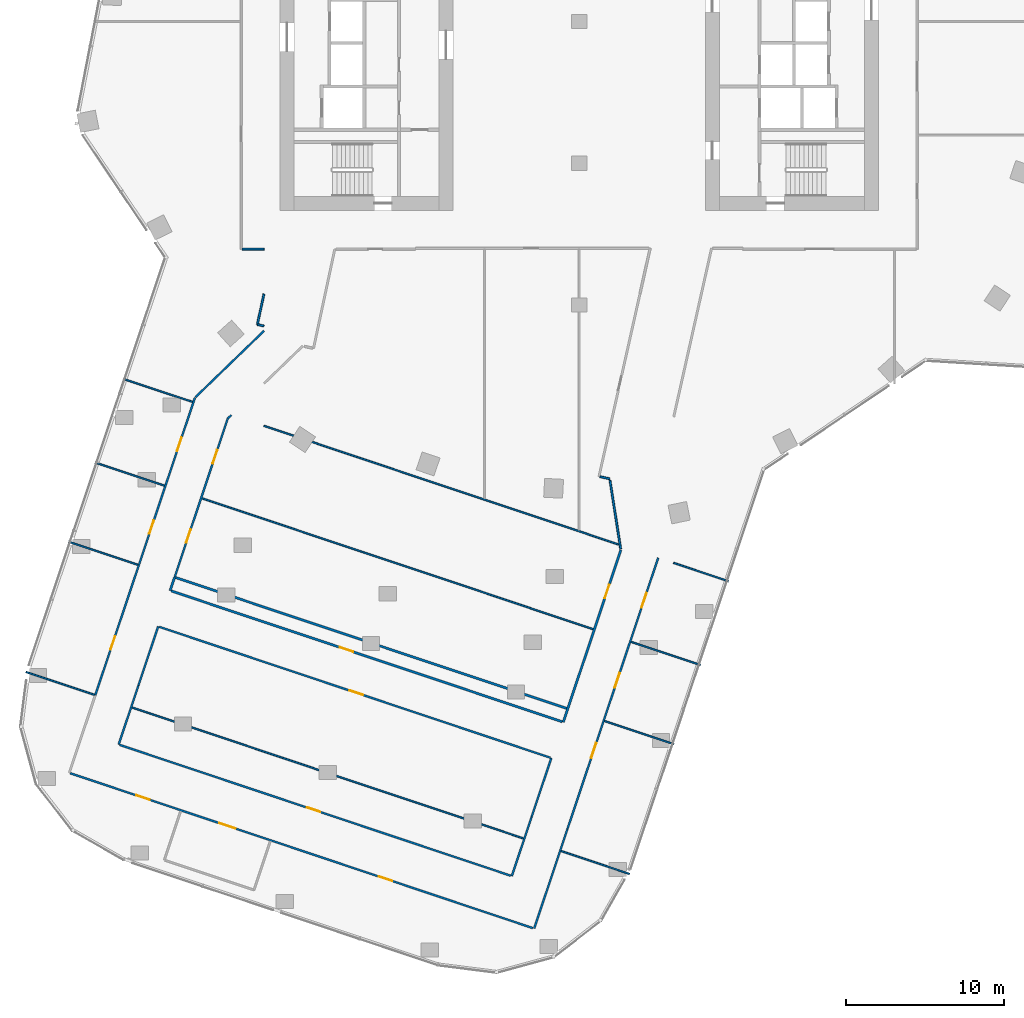
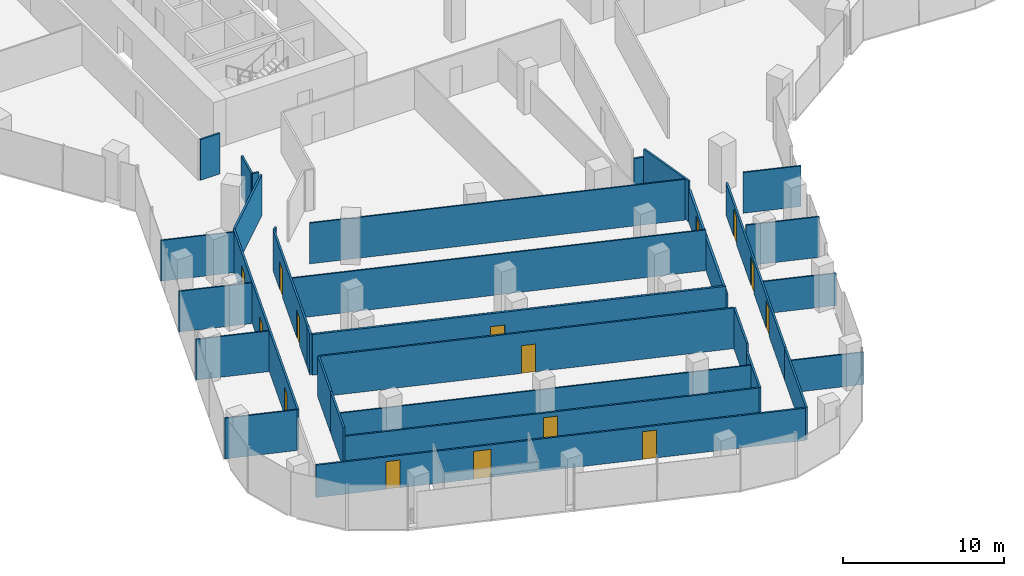
# One storey, part 19 of 25: 33 walls, 15 doors, 15 openings.
"""IFC4 building model written with IfcOpenShell, lengths in metres."""

import ifcopenshell
import ifcopenshell.guid

model = None  # the IFC model being written
_history = None  # IfcOwnerHistory: only IFC2X3 demands one
_inside = {}  # id of a spatial element -> (the spatial element, [elements in it])
_under = {}  # id of a project, library or spatial element -> (it, [spatial elements below it])
_declared = {}  # id of a project -> (the project, [libraries it declares])
_typed = {}  # id of a type object -> (the type object, [elements of that type])
_made_of = {}  # id of a material, layer set ... -> (it, [elements and type objects made of it])


def new_model(schema):
    """Start an empty IFC model of exactly this schema.

    Asked for "IFC4X3", IfcOpenShell would pick the latest addendum, in which some entities
    have other attributes; the version numbers below select the first issue.
    IFC2X3 requires an IfcOwnerHistory on every rooted entity: one is made here for all.
    """
    global model, _history
    if schema == "IFC4X3":
        model = ifcopenshell.file(schema_version=(4, 3, 0, 0))
    else:
        model = ifcopenshell.file(schema=schema)
    _inside.clear()
    _under.clear()
    _declared.clear()
    _typed.clear()
    _made_of.clear()
    _history = None
    if model.schema == "IFC2X3":
        org = make("IfcOrganization", Name="unknown")
        user = make(
            "IfcPersonAndOrganization",
            ThePerson=make("IfcPerson", FamilyName="unknown"),
            TheOrganization=org,
        )
        app = make(
            "IfcApplication",
            ApplicationDeveloper=org,
            Version="unknown",
            ApplicationFullName="unknown",
            ApplicationIdentifier="unknown",
        )
        _history = make(
            "IfcOwnerHistory",
            OwningUser=user,
            OwningApplication=app,
            ChangeAction="ADDED",
            CreationDate=0,
        )
    return model


def make(cls, **values):
    """One entity of the class cls with the attributes given. An attribute that is None is left unset."""
    return model.create_entity(
        cls, **{name: value for name, value in values.items() if value is not None}
    )


def rooted(cls, **values):
    """An entity with a GlobalId (a new one), such as an element, a storey or a relation."""
    return make(cls, GlobalId=ifcopenshell.guid.new(), OwnerHistory=_history, **values)


def si_unit(unit_type, name, prefix=None):
    """IfcSIUnit, for example si_unit("LENGTHUNIT", "METRE", prefix="MILLI")."""
    return make("IfcSIUnit", UnitType=unit_type, Prefix=prefix, Name=name)


def assignment(units):
    """IfcUnitAssignment: the units of a project."""
    return None if units is None else make("IfcUnitAssignment", Units=units)


def point(xyz):
    """IfcCartesianPoint."""
    return None if xyz is None else make("IfcCartesianPoint", Coordinates=xyz)


def direction(xyz):
    """IfcDirection."""
    return None if xyz is None else make("IfcDirection", DirectionRatios=xyz)


def frame(location, z_axis=None, x_axis=None):
    """IfcAxis2Placement3D, a coordinate frame: its origin and axes. An axis left out is left unset."""
    return make(
        "IfcAxis2Placement3D",
        Location=point(location),
        Axis=direction(z_axis),
        RefDirection=direction(x_axis),
    )


def frame_2d(location, x_axis=None):
    """IfcAxis2Placement2D, a coordinate frame in the plane: its origin and x axis."""
    return make(
        "IfcAxis2Placement2D", Location=point(location), RefDirection=direction(x_axis)
    )


def origin():
    """The frame at (0, 0, 0) with its axes left unset."""
    return frame((0.0, 0.0, 0.0))


def place(relative_to, where):
    """IfcLocalPlacement: puts the frame where relative to a parent placement (None: the world)."""
    return make(
        "IfcLocalPlacement", PlacementRelTo=relative_to, RelativePlacement=where
    )


def context(
    kind, dimensions, precision=None, world=None, true_north=None, identifier=None
):
    """IfcGeometricRepresentationContext, for example the 3D "Model" context."""
    return make(
        "IfcGeometricRepresentationContext",
        ContextIdentifier=identifier,
        ContextType=kind,
        CoordinateSpaceDimension=dimensions,
        Precision=precision,
        WorldCoordinateSystem=world,
        TrueNorth=true_north,
    )


def subcontext(parent, identifier, kind, view, scale=None):
    """IfcGeometricRepresentationSubContext, for example "Body" below "Model"."""
    return make(
        "IfcGeometricRepresentationSubContext",
        ContextIdentifier=identifier,
        ContextType=kind,
        ParentContext=parent,
        TargetScale=scale,
        TargetView=view,
    )


def project(units=None, contexts=None):
    """IfcProject with its units and contexts."""
    return rooted(
        "IfcProject",
        Name="project",
        RepresentationContexts=contexts,
        UnitsInContext=assignment(units),
    )


def spatial(cls, under=None, at=None, **own):
    """A site, building, storey or space (cls), placed at a placement, below another one or the project."""
    s = rooted(cls, ObjectPlacement=at, **own)
    if under is not None:
        _under.setdefault(under.id(), (under, []))[1].append(s)
    return s


def profile(cls, at=None, kind="AREA", **sizes):
    """A parametric profile (cls). Its sizes go by their IFC names, for example OverallWidth=200.0."""
    return make(cls, ProfileType=kind, Position=at, **sizes)


def rectangle(**sizes):
    """IfcRectangleProfileDef."""
    return profile("IfcRectangleProfileDef", **sizes)


def extrude(swept, where, along, depth):
    """IfcExtrudedAreaSolid: the profile swept, set in the frame where, extruded along a direction by depth."""
    return make(
        "IfcExtrudedAreaSolid",
        SweptArea=swept,
        Position=where,
        ExtrudedDirection=direction(along),
        Depth=depth,
    )


def shape(context_of_items, identifier, shape_type, items):
    """IfcShapeRepresentation: the items that make up one representation, for example the "Body"."""
    return make(
        "IfcShapeRepresentation",
        ContextOfItems=context_of_items,
        RepresentationIdentifier=identifier,
        RepresentationType=shape_type,
        Items=items,
    )


def material(Name=None, Category=None):
    """IfcMaterial."""
    return make("IfcMaterial", Name=Name, Category=Category)


def layer(
    of_material, thickness, ventilated=None, Name=None, Category=None, Priority=None
):
    """IfcMaterialLayer: one layer of a wall or slab, of a material (None: an air gap)."""
    return make(
        "IfcMaterialLayer",
        Material=of_material,
        LayerThickness=thickness,
        IsVentilated=ventilated,
        Name=Name,
        Category=Category,
        Priority=Priority,
    )


def layer_set(layers, Name=None):
    """IfcMaterialLayerSet."""
    return make("IfcMaterialLayerSet", MaterialLayers=layers, LayerSetName=Name)


def made_of(thing, what):
    """Note that an element or type object is made of a material, layer set ...; save() writes the relation."""
    if what is not None:
        _made_of.setdefault(what.id(), (what, []))[1].append(thing)
    return thing


def type_object(cls, material=None, **own):
    """A type object (cls), such as IfcWallType, which elements share."""
    return made_of(rooted(cls, **own), material)


def element(
    cls,
    number,
    at=None,
    inside=None,
    cuts=None,
    type_object=None,
    material=None,
    context=None,
    identifier="Body",
    shape_type=None,
    held_by="IfcProductDefinitionShape",
    body=None,
    shapes=None,
    **own,
):
    """One element of the class cls, such as IfcWall. Its Tag is "e" and its number.

    at: its placement. inside: the storey or other place that contains it. cuts: it is an
    opening in that element (IfcRelVoidsElement). A single representation is given by context,
    identifier, shape_type and body (its items); several are given by shapes. held_by: the class
    of the entity that holds the representations. save() writes the other relations.
    """
    e = rooted(cls, Tag="e%d" % number, ObjectPlacement=at, **own)
    if body is not None:
        shapes = [shape(context, identifier, shape_type, body)]
    if shapes is not None:
        e.Representation = make(held_by, Representations=shapes)
    if inside is not None:
        _inside.setdefault(inside.id(), (inside, []))[1].append(e)
    if cuts is not None:
        rooted(
            "IfcRelVoidsElement", RelatingBuildingElement=cuts, RelatedOpeningElement=e
        )
    if type_object is not None:
        _typed.setdefault(type_object.id(), (type_object, []))[1].append(e)
    return made_of(e, material)


def fill(opening, filler):
    """IfcRelFillsElement: the door or window that sits in an opening."""
    return rooted(
        "IfcRelFillsElement",
        RelatingOpeningElement=opening,
        RelatedBuildingElement=filler,
    )


def aggregate(whole, parts):
    """IfcRelAggregates: a whole, such as a stair, and the parts it consists of."""
    return rooted("IfcRelAggregates", RelatingObject=whole, RelatedObjects=parts)


def save(model, path):
    """Write the relations noted so far, then the file.

    IfcRelAggregates (storeys below a building ...), IfcRelContainedInSpatialStructure (elements
    in a storey), IfcRelDefinesByType, IfcRelAssociatesMaterial and IfcRelDeclares: one each for
    every whole, place, type object, material and project.
    """
    for whole, parts in _under.values():
        aggregate(whole, parts)
    for where, things in _inside.values():
        rooted(
            "IfcRelContainedInSpatialStructure",
            RelatedElements=things,
            RelatingStructure=where,
        )
    for kind, things in _typed.values():
        rooted("IfcRelDefinesByType", RelatedObjects=things, RelatingType=kind)
    for what, things in _made_of.values():
        rooted("IfcRelAssociatesMaterial", RelatedObjects=things, RelatingMaterial=what)
    for by, libraries in _declared.values():
        rooted("IfcRelDeclares", RelatingContext=by, RelatedDefinitions=libraries)
    model.write(path)


model = new_model("IFC4")

# Units and contexts
model_context = context("Model", 3, precision=1e-05, world=origin(), true_north=direction((0.0, 1.0)))
body_context = subcontext(model_context, "Body", "Model", "MODEL_VIEW")
ifc_project = project(units=[si_unit("LENGTHUNIT", "METRE"), si_unit("AREAUNIT", "SQUARE_METRE"), si_unit("VOLUMEUNIT", "CUBIC_METRE"), si_unit("PLANEANGLEUNIT", "RADIAN"), si_unit("MASSUNIT", "GRAM", prefix="KILO")], contexts=[model_context])

# Site, building, storey
site_placement = place(None, origin())
site = spatial("IfcSite", under=ifc_project, at=site_placement, CompositionType="ELEMENT")
building_placement = place(site_placement, origin())
building = spatial("IfcBuilding", under=site, at=building_placement, Name="Orlundy Tower", CompositionType="ELEMENT")
storey_placement = place(building_placement, frame((0.0, 0.0, 159.60009765625)))
storey = spatial("IfcBuildingStorey", under=building, at=storey_placement, Name="L41", CompositionType="ELEMENT", Elevation=159.60009765625)

# Walls
ifc_material_1 = material(Name="Gypsum board partition")
ifc_layer_1 = layer(ifc_material_1, 0.10009765625)
ifc_layer_set_1 = layer_set([ifc_layer_1], Name="Floor partition 100")
wall_type_1 = type_object("IfcWallType", Name="Floor partition 100", PredefinedType="PARTITIONING", material=ifc_layer_set_1)
wall_1_placement = place(storey_placement, frame((-35.112060546875, -41.2919921875, 0.0), z_axis=(0.0, 0.0, 1.0), x_axis=(0.94831984375, -0.317316047419, 0.0)))
element("IfcWall", 1, at=wall_1_placement, inside=storey, type_object=wall_type_1, Name="wall-int-L41-005", PredefinedType="PARTITIONING", context=body_context, shape_type="SweptSolid", body=[
    extrude(rectangle(XDim=4.57568359375, YDim=0.10009765625, at=frame_2d((2.287841796875, 0.0))), origin(), (0.0, 0.0, 1.0), 3.079833984375),
])
wall_2_placement = place(storey_placement, frame((-32.404052734375, -33.02490234375, 0.0), z_axis=(0.0, 0.0, 1.0), x_axis=(0.948382448694, -0.317128887062, 0.0)))
element("IfcWall", 2, at=wall_2_placement, inside=storey, type_object=wall_type_1, Name="wall-int-L41-010", PredefinedType="PARTITIONING", context=body_context, shape_type="SweptSolid", body=[
    extrude(rectangle(XDim=4.632080078125, YDim=0.10009765625, at=frame_2d((2.31591796875, 0.0))), origin(), (0.0, 0.0, 1.0), 3.079833984375),
])
wall_3_placement = place(storey_placement, frame((-30.721923828125, -27.9990234375, 0.0), z_axis=(0.0, 0.0, 1.0), x_axis=(0.948355935611, -0.317208164132, 0.0)))
element("IfcWall", 3, at=wall_3_placement, inside=storey, type_object=wall_type_1, Name="wall-int-L41-013", PredefinedType="PARTITIONING", context=body_context, shape_type="SweptSolid", body=[
    extrude(rectangle(XDim=4.631103515625, YDim=0.10009765625, at=frame_2d((2.3154296875, 0.0))), origin(), (0.0, 0.0, 1.0), 3.079833984375),
])
wall_4_placement = place(storey_placement, frame((-23.93505859375, -30.27001953125, 0.0), z_axis=(0.0, 0.0, 1.0), x_axis=(0.948328260126, -0.317290893418, 0.0)))
element("IfcWall", 4, at=wall_4_placement, inside=storey, type_object=wall_type_1, Name="wall-int-L41-014", PredefinedType="PARTITIONING", context=body_context, shape_type="SweptSolid", body=[
    extrude(rectangle(XDim=26.174560546875, YDim=0.10009765625, at=frame_2d((13.08740234375, 0.0))), origin(), (0.0, 0.0, 1.0), 3.079833984375),
])
wall_5_placement = place(storey_placement, frame((3.2939453125, -39.3798828125, 0.0), z_axis=(0.0, 0.0, 1.0), x_axis=(0.948260676976, -0.317492816455, 0.0)))
element("IfcWall", 5, at=wall_5_placement, inside=storey, type_object=wall_type_1, Name="wall-int-L41-015", PredefinedType="PARTITIONING", context=body_context, shape_type="SweptSolid", body=[
    extrude(rectangle(XDim=4.630615234375, YDim=0.10009765625, at=frame_2d((2.3154296875, 0.0))), origin(), (0.0, 0.0, 1.0), 3.079833984375),
])
wall_6_placement = place(storey_placement, frame((-28.943115234375, -22.681884765625, 0.0), z_axis=(0.0, 0.0, 1.0), x_axis=(0.948361239818, -0.317192305725, 0.0)))
element("IfcWall", 6, at=wall_6_placement, inside=storey, type_object=wall_type_1, Name="wall-int-L41-016", PredefinedType="PARTITIONING", context=body_context, shape_type="SweptSolid", body=[
    extrude(rectangle(XDim=4.63134765625, YDim=0.10009765625, at=frame_2d((2.315673828125, 0.0))), origin(), (0.0, 0.0, 1.0), 3.079833984375),
])
wall_7_placement = place(storey_placement, frame((-20.014892578125, -25.6689453125, 0.0), z_axis=(0.0, 0.0, 1.0), x_axis=(0.948326995597, -0.317294672854, 0.0)))
element("IfcWall", 7, at=wall_7_placement, inside=storey, type_object=wall_type_1, Name="wall-int-L41-017", PredefinedType="PARTITIONING", context=body_context, shape_type="SweptSolid", body=[
    extrude(rectangle(XDim=23.748046875, YDim=0.10009765625, at=frame_2d((11.8740234375, 0.0))), origin(), (0.0, 0.0, 1.0), 3.079833984375),
])
wall_8_placement = place(storey_placement, frame((5.985107421875, -34.368896484375, 0.0), z_axis=(0.0, 0.0, 1.0), x_axis=(0.948323320845, -0.317305655704, 0.0)))
element("IfcWall", 8, at=wall_8_placement, inside=storey, type_object=wall_type_1, Name="wall-int-L41-018", PredefinedType="PARTITIONING", context=body_context, shape_type="SweptSolid", body=[
    extrude(rectangle(XDim=3.668701171875, YDim=0.10009765625, at=frame_2d((1.83447265625, 0.0))), origin(), (0.0, 0.0, 1.0), 3.079833984375),
])
ifc_material_2 = material(Name="Gypsum board partition")
ifc_layer_2 = layer(ifc_material_2, 0.10009765625)
ifc_layer_set_2 = layer_set([ifc_layer_2], Name="Floor partition 100 B")
wall_type_2 = type_object("IfcWallType", Name="Floor partition 100 B", PredefinedType="PARTITIONING", material=ifc_layer_set_2)
wall_9_placement = place(storey_placement, frame((-28.3779296875, -43.5458984375, 0.0), z_axis=(0.0, 0.0, 1.0), x_axis=(0.948326561211, -0.317295971139, 0.0)))
element("IfcWall", 9, at=wall_9_placement, inside=storey, type_object=wall_type_2, Name="wall-int-L41-006", PredefinedType="PARTITIONING", context=body_context, shape_type="SweptSolid", body=[
    extrude(rectangle(XDim=26.187255859375, YDim=0.10009765625, at=frame_2d((13.09375, 0.0))), origin(), (0.0, 0.0, 1.0), 2.44482421875),
])
wall_10_placement = place(storey_placement, frame((-1.14892578125, -52.656982421875, 0.0), z_axis=(0.0, 0.0, 1.0), x_axis=(0.948400148701, -0.317075949805, 0.0)))
element("IfcWall", 10, at=wall_10_placement, inside=storey, type_object=wall_type_2, Name="wall-int-L41-007", PredefinedType="PARTITIONING", context=body_context, shape_type="SweptSolid", body=[
    extrude(rectangle(XDim=4.575927734375, YDim=0.10009765625, at=frame_2d((2.2880859375, 0.0))), origin(), (0.0, 0.0, 1.0), 2.44482421875),
])
wall_11_placement = place(storey_placement, frame((1.612060546875, -44.406982421875, 0.0), z_axis=(0.0, 0.0, 1.0), x_axis=(0.948334710824, -0.317271612734, 0.0)))
element("IfcWall", 11, at=wall_11_placement, inside=storey, type_object=wall_type_2, Name="wall-int-L41-012", PredefinedType="PARTITIONING", context=body_context, shape_type="SweptSolid", body=[
    extrude(rectangle(XDim=4.630126953125, YDim=0.10009765625, at=frame_2d((2.31494140625, 0.0))), origin(), (0.0, 0.0, 1.0), 2.44482421875),
])
ifc_material_3 = material(Name="Gypsum board partition, double layer")
ifc_layer_3 = layer(ifc_material_3, 0.125)
ifc_layer_set_3 = layer_set([ifc_layer_3], Name="Floor partition 125")
wall_type_3 = type_object("IfcWallType", Name="Floor partition 125", PredefinedType="PARTITIONING", material=ifc_layer_set_3)
wall_12_placement = place(storey_placement, frame((2.632080078125, -33.485107421875, 0.0), z_axis=(0.0, 0.0, 1.0), x_axis=(-0.153953145405, 0.988078149247, 0.0)))
element("IfcWall", 12, at=wall_12_placement, inside=storey, type_object=wall_type_3, Name="wall-int-L41-001", PredefinedType="PARTITIONING", context=body_context, shape_type="SweptSolid", body=[
    extrude(rectangle(XDim=4.41162109375, YDim=0.125, at=frame_2d((2.205810546875, 0.0))), origin(), (0.0, 0.0, 1.0), 3.079833984375),
])

# Wall, opening, door
wall_13_placement = place(storey_placement, frame((-1.8291015625, -46.73193359375, 0.0), z_axis=(0.0, 0.0, 1.0), x_axis=(-0.948329366448, 0.317287586791, 0.0)))
wall_13 = element("IfcWall", 13, at=wall_13_placement, inside=storey, type_object=wall_type_3, Name="wall-int-L41-008", PredefinedType="PARTITIONING", context=body_context, shape_type="SweptSolid", body=[
    extrude(rectangle(XDim=26.18701171875, YDim=0.125, at=frame_2d((13.093505859375, 0.0))), origin(), (0.0, 0.0, 1.0), 3.079833984375),
])
opening_1_placement = place(wall_13_placement, frame((12.53759765625, 0.0, 0.0)))
opening_1 = element("IfcOpeningElement", 14, at=opening_1_placement, cuts=wall_13, Name="Opening 32107", PredefinedType="OPENING", context=body_context, shape_type="SweptSolid", body=[
    extrude(rectangle(XDim=0.89990234375, YDim=2.10009765625, at=frame_2d((0.449951171875, 1.050048828125))), frame((0.0, 0.072509765625, 0.0), z_axis=(0.0, -1.0, 0.0), x_axis=(1.0, 0.0, 0.0)), (0.0, 0.0, 1.0), 0.14501953125),
])
ifc_material_4 = material(Name="Timber door leaf", Category="wood")
door_type_1 = type_object("IfcDoorType", Name="Floor door single 900 FD30S", OperationType="NOTDEFINED", PredefinedType="DOOR", material=ifc_material_4)
door_1_placement = place(opening_1_placement, origin())
door_1 = element("IfcDoor", 15, at=door_1_placement, inside=storey, type_object=door_type_1, Name="Door 32107", OperationType="SINGLE_SWING_LEFT", OverallHeight=2.10009765625, OverallWidth=0.89990234375, PredefinedType="DOOR", context=body_context, shape_type="SweptSolid", body=[
    extrude(rectangle(XDim=0.89990234375, YDim=2.10009765625, at=frame_2d((0.449951171875, 1.050048828125))), frame((0.0, 0.02490234375, 0.0), z_axis=(0.0, -1.0, 0.0), x_axis=(1.0, 0.0, 0.0)), (0.0, 0.0, 1.0), 0.050048828125),
])
fill(opening_1, door_1)

# Walls
wall_14_placement = place(storey_placement, frame((-20.425048828125, -19.240966796875, 0.0), z_axis=(0.0, 0.0, 1.0), x_axis=(0.977810632408, -0.209490732848, 0.0)))
element("IfcWall", 16, at=wall_14_placement, inside=storey, type_object=wall_type_3, Name="wall-int-L41-021", PredefinedType="PARTITIONING", context=body_context, shape_type="SweptSolid", body=[
    extrude(rectangle(XDim=0.434814453125, YDim=0.125, at=frame_2d((0.21728515625, 0.0))), origin(), (0.0, 0.0, 1.0), 3.079833984375),
])
wall_15_placement = place(storey_placement, frame((-21.386962890625, -14.450927734375, 0.0), z_axis=(0.0, 0.0, 1.0), x_axis=(1.0, 0.0, 0.0)))
element("IfcWall", 17, at=wall_15_placement, inside=storey, type_object=wall_type_3, Name="wall-int-L41-022", PredefinedType="PARTITIONING", context=body_context, shape_type="SweptSolid", body=[
    extrude(rectangle(XDim=1.386962890625, YDim=0.125, at=frame_2d((0.693359375, 0.0))), origin(), (0.0, 0.0, 1.0), 3.079833984375),
])
wall_16_placement = place(storey_placement, frame((-24.35400390625, -23.85009765625, 0.0), z_axis=(0.0, 0.0, 1.0), x_axis=(0.718717121229, 0.695302595747, 0.0)))
element("IfcWall", 18, at=wall_16_placement, inside=storey, type_object=wall_type_3, Name="wall-int-L41-034", PredefinedType="PARTITIONING", context=body_context, shape_type="SweptSolid", body=[
    extrude(rectangle(XDim=6.05810546875, YDim=0.125, at=frame_2d((3.029052734375, 0.0))), origin(), (0.0, 0.0, 1.0), 3.079833984375),
])
wall_17_placement = place(storey_placement, frame((-22.30810546875, -25.2109375, 0.0), z_axis=(0.0, 0.0, 1.0), x_axis=(0.717743653734, 0.696307437505, 0.0)))
element("IfcWall", 19, at=wall_17_placement, inside=storey, type_object=wall_type_3, Name="wall-int-L41-036", PredefinedType="PARTITIONING", context=body_context, shape_type="SweptSolid", body=[
    extrude(rectangle(XDim=0.330322265625, YDim=0.125, at=frame_2d((0.1650390625, 0.0))), origin(), (0.0, 0.0, 1.0), 3.079833984375),
])
for number, where, z_axis, x_axis, name in (
    (20, (-3.02392578125, -50.4990234375, 0.0), (0.0, 0.0, 1.0), (0.317339720629, 0.94831192216, 0.0), "wall-int-L41-040"),
    (21, (-27.97607421875, -42.14990234375, 0.0), (0.0, 0.0, 1.0), (-0.317339720629, -0.94831192216, 0.0), "wall-int-L41-044"),
):
    element("IfcWall", number, at=place(storey_placement, frame(where, z_axis=z_axis, x_axis=x_axis)), inside=storey, type_object=wall_type_3, Name=name, PredefinedType="PARTITIONING", context=body_context, shape_type="SweptSolid", body=[
        extrude(rectangle(XDim=3.951416015625, YDim=0.125, at=frame_2d((1.9755859375, 0.0))), origin(), (0.0, 0.0, 1.0), 3.079833984375),
    ])
wall_18_placement = place(storey_placement, frame((-27.97607421875, -42.14990234375, 0.0), z_axis=(0.0, 0.0, 1.0), x_axis=(0.317413881712, 0.948287101935, 0.0)))
element("IfcWall", 22, at=wall_18_placement, inside=storey, type_object=wall_type_3, Name="wall-int-L41-045", PredefinedType="PARTITIONING", context=body_context, shape_type="SweptSolid", body=[
    extrude(rectangle(XDim=3.951171875, YDim=0.125, at=frame_2d((1.9755859375, 0.0))), origin(), (0.0, 0.0, 1.0), 3.079833984375),
])

# Wall, openings, doors
wall_19_placement = place(storey_placement, frame((-22.306884765625, -25.2099609375, 0.0), z_axis=(0.0, 0.0, 1.0), x_axis=(-0.317400526235, -0.948291572221, 0.0)))
wall_19 = element("IfcWall", 23, at=wall_19_placement, inside=storey, type_object=wall_type_3, Name="wall-int-L41-046", PredefinedType="PARTITIONING", context=body_context, shape_type="SweptSolid", body=[
    extrude(rectangle(XDim=10.61474609375, YDim=0.125, at=frame_2d((5.307373046875, 0.0))), origin(), (0.0, 0.0, 1.0), 3.079833984375),
])
opening_2_placement = place(wall_19_placement, frame((2.100830078125, 0.0, 0.0)))
opening_2 = element("IfcOpeningElement", 24, at=opening_2_placement, cuts=wall_19, Name="Opening 32103", PredefinedType="OPENING", context=body_context, shape_type="SweptSolid", body=[
    extrude(rectangle(XDim=0.89990234375, YDim=2.10009765625, at=frame_2d((0.449951171875, 1.050048828125))), frame((0.0, 0.072509765625, 0.0), z_axis=(0.0, -1.0, 0.0), x_axis=(1.0, 0.0, 0.0)), (0.0, 0.0, 1.0), 0.14501953125),
])
opening_3_placement = place(wall_19_placement, frame((7.414306640625, 0.0, 0.0)))
opening_3 = element("IfcOpeningElement", 25, at=opening_3_placement, cuts=wall_19, Name="Opening 32105", PredefinedType="OPENING", context=body_context, shape_type="SweptSolid", body=[
    extrude(rectangle(XDim=0.89990234375, YDim=2.10009765625, at=frame_2d((0.449951171875, 1.050048828125))), frame((0.0, 0.072509765625, 0.0), z_axis=(0.0, -1.0, 0.0), x_axis=(1.0, 0.0, 0.0)), (0.0, 0.0, 1.0), 0.14501953125),
])
door_2_placement = place(opening_2_placement, origin())
door_2 = element("IfcDoor", 26, at=door_2_placement, inside=storey, type_object=door_type_1, Name="Door 32103", OperationType="SINGLE_SWING_LEFT", OverallHeight=2.10009765625, OverallWidth=0.89990234375, PredefinedType="DOOR", context=body_context, shape_type="SweptSolid", body=[
    extrude(rectangle(XDim=0.89990234375, YDim=2.10009765625, at=frame_2d((0.449951171875, 1.050048828125))), frame((0.0, 0.02490234375, 0.0), z_axis=(0.0, -1.0, 0.0), x_axis=(1.0, 0.0, 0.0)), (0.0, 0.0, 1.0), 0.050048828125),
])
fill(opening_2, door_2)
door_3_placement = place(opening_3_placement, origin())
door_3 = element("IfcDoor", 27, at=door_3_placement, inside=storey, type_object=door_type_1, Name="Door 32105", OperationType="SINGLE_SWING_RIGHT", OverallHeight=2.10009765625, OverallWidth=0.89990234375, PredefinedType="DOOR", context=body_context, shape_type="SweptSolid", body=[
    extrude(rectangle(XDim=0.89990234375, YDim=2.10009765625, at=frame_2d((0.449951171875, 1.050048828125))), frame((0.0, 0.02490234375, 0.0), z_axis=(0.0, -1.0, 0.0), x_axis=(1.0, 0.0, 0.0)), (0.0, 0.0, 1.0), 0.050048828125),
])
fill(opening_3, door_3)

wall_20_placement = place(storey_placement, frame((-30.714111328125, -42.763916015625, 0.0), z_axis=(0.0, 0.0, 1.0), x_axis=(0.317699123241, 0.94819157721, 0.0)))
wall_20 = element("IfcWall", 28, at=wall_20_placement, inside=storey, type_object=wall_type_3, Name="wall-int-L41-048", PredefinedType="PARTITIONING", context=body_context, shape_type="SweptSolid", body=[
    extrude(rectangle(XDim=19.90625, YDim=0.125, at=frame_2d((9.953125, 0.0))), origin(), (0.0, 0.0, 1.0), 3.079833984375),
])
opening_4_placement = place(wall_20_placement, frame((16.349609375, 0.0, 0.0)))
opening_4 = element("IfcOpeningElement", 29, at=opening_4_placement, cuts=wall_20, Name="Opening 32111", PredefinedType="OPENING", context=body_context, shape_type="SweptSolid", body=[
    extrude(rectangle(XDim=0.89990234375, YDim=2.10009765625, at=frame_2d((0.449951171875, 1.050048828125))), frame((0.0, 0.072509765625, 0.0), z_axis=(0.0, -1.0, 0.0), x_axis=(1.0, 0.0, 0.0)), (0.0, 0.0, 1.0), 0.14501953125),
])
opening_5_placement = place(wall_20_placement, frame((10.800048828125, 0.0, 0.0)))
opening_5 = element("IfcOpeningElement", 30, at=opening_5_placement, cuts=wall_20, Name="Opening 32112", PredefinedType="OPENING", context=body_context, shape_type="SweptSolid", body=[
    extrude(rectangle(XDim=0.89990234375, YDim=2.10009765625, at=frame_2d((0.449951171875, 1.050048828125))), frame((0.0, 0.072509765625, 0.0), z_axis=(0.0, -1.0, 0.0), x_axis=(1.0, 0.0, 0.0)), (0.0, 0.0, 1.0), 0.14501953125),
])
opening_6_placement = place(wall_20_placement, frame((3.05126953125, 0.0, 0.0)))
opening_6 = element("IfcOpeningElement", 31, at=opening_6_placement, cuts=wall_20, Name="Opening 32113", PredefinedType="OPENING", context=body_context, shape_type="SweptSolid", body=[
    extrude(rectangle(XDim=0.89990234375, YDim=2.10009765625, at=frame_2d((0.449951171875, 1.050048828125))), frame((0.0, 0.072509765625, 0.0), z_axis=(0.0, -1.0, 0.0), x_axis=(1.0, 0.0, 0.0)), (0.0, 0.0, 1.0), 0.14501953125),
])
door_4_placement = place(opening_4_placement, origin())
door_4 = element("IfcDoor", 32, at=door_4_placement, inside=storey, type_object=door_type_1, Name="Door 32111", OperationType="SINGLE_SWING_RIGHT", OverallHeight=2.10009765625, OverallWidth=0.89990234375, PredefinedType="DOOR", context=body_context, shape_type="SweptSolid", body=[
    extrude(rectangle(XDim=0.89990234375, YDim=2.10009765625, at=frame_2d((0.449951171875, 1.050048828125))), frame((0.0, 0.02490234375, 0.0), z_axis=(0.0, -1.0, 0.0), x_axis=(1.0, 0.0, 0.0)), (0.0, 0.0, 1.0), 0.050048828125),
])
fill(opening_4, door_4)
door_5_placement = place(opening_5_placement, origin())
door_5 = element("IfcDoor", 33, at=door_5_placement, inside=storey, type_object=door_type_1, Name="Door 32112", OperationType="SINGLE_SWING_RIGHT", OverallHeight=2.10009765625, OverallWidth=0.89990234375, PredefinedType="DOOR", context=body_context, shape_type="SweptSolid", body=[
    extrude(rectangle(XDim=0.89990234375, YDim=2.10009765625, at=frame_2d((0.449951171875, 1.050048828125))), frame((0.0, 0.02490234375, 0.0), z_axis=(0.0, -1.0, 0.0), x_axis=(1.0, 0.0, 0.0)), (0.0, 0.0, 1.0), 0.050048828125),
])
fill(opening_5, door_5)
door_6_placement = place(opening_6_placement, origin())
door_6 = element("IfcDoor", 34, at=door_6_placement, inside=storey, type_object=door_type_1, Name="Door 32113", OperationType="SINGLE_SWING_LEFT", OverallHeight=2.10009765625, OverallWidth=0.89990234375, PredefinedType="DOOR", context=body_context, shape_type="SweptSolid", body=[
    extrude(rectangle(XDim=0.89990234375, YDim=2.10009765625, at=frame_2d((0.449951171875, 1.050048828125))), frame((0.0, 0.02490234375, 0.0), z_axis=(0.0, -1.0, 0.0), x_axis=(1.0, 0.0, 0.0)), (0.0, 0.0, 1.0), 0.050048828125),
])
fill(opening_6, door_6)

# Wall
wall_21_placement = place(storey_placement, frame((-20.426025390625, -19.240966796875, 0.0), z_axis=(0.0, 0.0, 1.0), x_axis=(0.20968034996, 0.97776998872, 0.0)))
element("IfcWall", 35, at=wall_21_placement, inside=storey, type_object=wall_type_3, Name="wall-int-L41-054", PredefinedType="PARTITIONING", context=body_context, shape_type="SweptSolid", body=[
    extrude(rectangle(XDim=1.984130859375, YDim=0.125, at=frame_2d((0.9921875, 0.0))), origin(), (0.0, 0.0, 1.0), 3.079833984375),
])

# Wall, openings, doors
ifc_material_5 = material(Name="Gypsum board partition, double layer")
ifc_layer_4 = layer(ifc_material_5, 0.125)
ifc_layer_set_4 = layer_set([ifc_layer_4], Name="Floor partition 125 B")
wall_type_4 = type_object("IfcWallType", Name="Floor partition 125 B", PredefinedType="PARTITIONING", material=ifc_layer_set_4)
wall_22_placement = place(storey_placement, frame((-2.93994140625, -57.547119140625, 0.0), z_axis=(0.0, 0.0, 1.0), x_axis=(-0.948265401731, 0.317478704609, 0.0)))
wall_22 = element("IfcWall", 36, at=wall_22_placement, inside=storey, type_object=wall_type_4, Name="wall-int-L41-003", PredefinedType="PARTITIONING", context=body_context, shape_type="SweptSolid", body=[
    extrude(rectangle(XDim=30.966064453125, YDim=0.125, at=frame_2d((15.48291015625, 0.0))), origin(), (0.0, 0.0, 1.0), 2.44482421875),
])
opening_7_placement = place(wall_22_placement, frame((25.64990234375, 0.0, 0.0)))
opening_7 = element("IfcOpeningElement", 37, at=opening_7_placement, cuts=wall_22, Name="Opening 32109", PredefinedType="OPENING", context=body_context, shape_type="SweptSolid", body=[
    extrude(rectangle(XDim=0.89990234375, YDim=2.10009765625, at=frame_2d((0.449951171875, 1.050048828125))), frame((0.0, 0.072509765625, 0.0), z_axis=(0.0, -1.0, 0.0), x_axis=(1.0, 0.0, 0.0)), (0.0, 0.0, 1.0), 0.14501953125),
])
opening_8_placement = place(wall_22_placement, frame((9.415283203125, 0.0, 0.0)))
opening_8 = element("IfcOpeningElement", 38, at=opening_8_placement, cuts=wall_22, Name="Opening 32110", PredefinedType="OPENING", context=body_context, shape_type="SweptSolid", body=[
    extrude(rectangle(XDim=0.89990234375, YDim=2.10009765625, at=frame_2d((0.449951171875, 1.050048828125))), frame((0.0, 0.072509765625, 0.0), z_axis=(0.0, -1.0, 0.0), x_axis=(1.0, 0.0, 0.0)), (0.0, 0.0, 1.0), 0.14501953125),
])
opening_9_placement = place(wall_22_placement, frame((19.899658203125, 0.0, 0.0)))
opening_9 = element("IfcOpeningElement", 39, at=opening_9_placement, cuts=wall_22, Name="Opening 32128", PredefinedType="OPENING", context=body_context, shape_type="SweptSolid", body=[
    extrude(rectangle(XDim=1.10009765625, YDim=2.10009765625, at=frame_2d((0.550048828125, 1.050048828125))), frame((0.0, 0.072509765625, 0.0), z_axis=(0.0, -1.0, 0.0), x_axis=(1.0, 0.0, 0.0)), (0.0, 0.0, 1.0), 0.14501953125),
])
door_7_placement = place(opening_7_placement, origin())
door_7 = element("IfcDoor", 40, at=door_7_placement, inside=storey, type_object=door_type_1, Name="Door 32109", OperationType="SINGLE_SWING_RIGHT", OverallHeight=2.10009765625, OverallWidth=0.89990234375, PredefinedType="DOOR", context=body_context, shape_type="SweptSolid", body=[
    extrude(rectangle(XDim=0.89990234375, YDim=2.10009765625, at=frame_2d((0.449951171875, 1.050048828125))), frame((0.0, 0.02490234375, 0.0), z_axis=(0.0, -1.0, 0.0), x_axis=(1.0, 0.0, 0.0)), (0.0, 0.0, 1.0), 0.050048828125),
])
fill(opening_7, door_7)
door_8_placement = place(opening_8_placement, origin())
door_8 = element("IfcDoor", 41, at=door_8_placement, inside=storey, type_object=door_type_1, Name="Door 32110", OperationType="SINGLE_SWING_LEFT", OverallHeight=2.10009765625, OverallWidth=0.89990234375, PredefinedType="DOOR", context=body_context, shape_type="SweptSolid", body=[
    extrude(rectangle(XDim=0.89990234375, YDim=2.10009765625, at=frame_2d((0.449951171875, 1.050048828125))), frame((0.0, 0.02490234375, 0.0), z_axis=(0.0, -1.0, 0.0), x_axis=(1.0, 0.0, 0.0)), (0.0, 0.0, 1.0), 0.050048828125),
])
fill(opening_8, door_8)
ifc_material_6 = material(Name="Timber door leaf", Category="wood")
door_type_2 = type_object("IfcDoorType", Name="Floor door xwide 1100 FD30S", OperationType="NOTDEFINED", PredefinedType="DOOR", material=ifc_material_6)
door_9_placement = place(opening_9_placement, origin())
door_9 = element("IfcDoor", 42, at=door_9_placement, inside=storey, type_object=door_type_2, Name="Door 32128", OperationType="SINGLE_SWING_RIGHT", OverallHeight=2.10009765625, OverallWidth=1.10009765625, PredefinedType="DOOR", context=body_context, shape_type="SweptSolid", body=[
    extrude(rectangle(XDim=1.10009765625, YDim=2.10009765625, at=frame_2d((0.550048828125, 1.050048828125))), frame((0.0, 0.02490234375, 0.0), z_axis=(0.0, -1.0, 0.0), x_axis=(1.0, 0.0, 0.0)), (0.0, 0.0, 1.0), 0.050048828125),
])
fill(opening_9, door_9)

# Wall, opening, door
wall_23_placement = place(storey_placement, frame((-29.1708984375, -45.9169921875, 0.0), z_axis=(0.0, 0.0, 1.0), x_axis=(0.948337781815, -0.317262433299, 0.0)))
wall_23 = element("IfcWall", 43, at=wall_23_placement, inside=storey, type_object=wall_type_4, Name="wall-int-L41-004", PredefinedType="PARTITIONING", context=body_context, shape_type="SweptSolid", body=[
    extrude(rectangle(XDim=26.186767578125, YDim=0.125, at=frame_2d((13.09326171875, 0.0))), origin(), (0.0, 0.0, 1.0), 2.44482421875),
])
opening_10_placement = place(wall_23_placement, frame((12.53759765625, 0.0, 0.0)))
opening_10 = element("IfcOpeningElement", 44, at=opening_10_placement, cuts=wall_23, Name="Opening 32108", PredefinedType="OPENING", context=body_context, shape_type="SweptSolid", body=[
    extrude(rectangle(XDim=0.89990234375, YDim=2.10009765625, at=frame_2d((0.449951171875, 1.050048828125))), frame((0.0, 0.072509765625, 0.0), z_axis=(0.0, -1.0, 0.0), x_axis=(1.0, 0.0, 0.0)), (0.0, 0.0, 1.0), 0.14501953125),
])
door_10_placement = place(opening_10_placement, origin())
door_10 = element("IfcDoor", 45, at=door_10_placement, inside=storey, type_object=door_type_1, Name="Door 32108", OperationType="SINGLE_SWING_LEFT", OverallHeight=2.10009765625, OverallWidth=0.89990234375, PredefinedType="DOOR", context=body_context, shape_type="SweptSolid", body=[
    extrude(rectangle(XDim=0.89990234375, YDim=2.10009765625, at=frame_2d((0.449951171875, 1.050048828125))), frame((0.0, 0.02490234375, 0.0), z_axis=(0.0, -1.0, 0.0), x_axis=(1.0, 0.0, 0.0)), (0.0, 0.0, 1.0), 0.050048828125),
])
fill(opening_10, door_10)

# Walls
wall_24_placement = place(storey_placement, frame((1.31689453125, -28.89599609375, 0.0), z_axis=(0.0, 0.0, 1.0), x_axis=(0.9759612217, -0.217944244563, 0.0)))
element("IfcWall", 46, at=wall_24_placement, inside=storey, type_object=wall_type_4, Name="wall-int-L41-019", PredefinedType="PARTITIONING", context=body_context, shape_type="SweptSolid", body=[
    extrude(rectangle(XDim=0.637451171875, YDim=0.125, at=frame_2d((0.31884765625, 0.0))), origin(), (0.0, 0.0, 1.0), 2.44482421875),
])
wall_25_placement = place(storey_placement, frame((-2.85791015625, -57.568115234375, 0.0), z_axis=(0.0, 0.0, 1.0), x_axis=(0.317328623894, 0.94831563546, 0.0)))
element("IfcWall", 47, at=wall_25_placement, inside=storey, type_object=wall_type_4, Name="wall-int-L41-037", PredefinedType="PARTITIONING", context=body_context, shape_type="SweptSolid", body=[
    extrude(rectangle(XDim=6.65185546875, YDim=0.125, at=frame_2d((3.325927734375, 0.0))), origin(), (0.0, 0.0, 1.0), 2.44482421875),
])

# Wall, openings, doors
wall_26_placement = place(storey_placement, frame((5.013916015625, -34.047119140625, 0.0), z_axis=(0.0, 0.0, 1.0), x_axis=(-0.317385597106, -0.948296568986, 0.0)))
wall_26 = element("IfcWall", 48, at=wall_26_placement, inside=storey, type_object=wall_type_4, Name="wall-int-L41-038", PredefinedType="PARTITIONING", context=body_context, shape_type="SweptSolid", body=[
    extrude(rectangle(XDim=18.1513671875, YDim=0.125, at=frame_2d((9.07568359375, 0.0))), origin(), (0.0, 0.0, 1.0), 2.44482421875),
])
opening_11_placement = place(wall_26_placement, frame((2.34716796875, 0.0, 0.0)))
opening_11 = element("IfcOpeningElement", 49, at=opening_11_placement, cuts=wall_26, Name="Opening 32100", PredefinedType="OPENING", context=body_context, shape_type="SweptSolid", body=[
    extrude(rectangle(XDim=1.0, YDim=2.10009765625, at=frame_2d((0.5, 1.050048828125))), frame((0.0, 0.072509765625, 0.0), z_axis=(0.0, -1.0, 0.0), x_axis=(1.0, 0.0, 0.0)), (0.0, 0.0, 1.0), 0.14501953125),
])
opening_12_placement = place(wall_26_placement, frame((7.70263671875, 0.0, 0.0)))
opening_12 = element("IfcOpeningElement", 50, at=opening_12_placement, cuts=wall_26, Name="Opening 32101", PredefinedType="OPENING", context=body_context, shape_type="SweptSolid", body=[
    extrude(rectangle(XDim=1.0, YDim=2.10009765625, at=frame_2d((0.5, 1.050048828125))), frame((0.0, 0.072509765625, 0.0), z_axis=(0.0, -1.0, 0.0), x_axis=(1.0, 0.0, 0.0)), (0.0, 0.0, 1.0), 0.14501953125),
])
opening_13_placement = place(wall_26_placement, frame((12.398681640625, 0.0, 0.0)))
opening_13 = element("IfcOpeningElement", 51, at=opening_13_placement, cuts=wall_26, Name="Opening 32102", PredefinedType="OPENING", context=body_context, shape_type="SweptSolid", body=[
    extrude(rectangle(XDim=1.0, YDim=2.10009765625, at=frame_2d((0.5, 1.050048828125))), frame((0.0, 0.072509765625, 0.0), z_axis=(0.0, -1.0, 0.0), x_axis=(1.0, 0.0, 0.0)), (0.0, 0.0, 1.0), 0.14501953125),
])
ifc_material_7 = material(Name="Timber door leaf", Category="wood")
door_type_3 = type_object("IfcDoorType", Name="Floor door wide 1000 FD30S", OperationType="NOTDEFINED", PredefinedType="DOOR", material=ifc_material_7)
door_11_placement = place(opening_11_placement, origin())
door_11 = element("IfcDoor", 52, at=door_11_placement, inside=storey, type_object=door_type_3, Name="Door 32100", OperationType="SINGLE_SWING_LEFT", OverallHeight=2.10009765625, OverallWidth=1.0, PredefinedType="DOOR", context=body_context, shape_type="SweptSolid", body=[
    extrude(rectangle(XDim=1.0, YDim=2.10009765625, at=frame_2d((0.5, 1.050048828125))), frame((0.0, 0.02490234375, 0.0), z_axis=(0.0, -1.0, 0.0), x_axis=(1.0, 0.0, 0.0)), (0.0, 0.0, 1.0), 0.050048828125),
])
fill(opening_11, door_11)
door_12_placement = place(opening_12_placement, origin())
door_12 = element("IfcDoor", 53, at=door_12_placement, inside=storey, type_object=door_type_3, Name="Door 32101", OperationType="SINGLE_SWING_LEFT", OverallHeight=2.10009765625, OverallWidth=1.0, PredefinedType="DOOR", context=body_context, shape_type="SweptSolid", body=[
    extrude(rectangle(XDim=1.0, YDim=2.10009765625, at=frame_2d((0.5, 1.050048828125))), frame((0.0, 0.02490234375, 0.0), z_axis=(0.0, -1.0, 0.0), x_axis=(1.0, 0.0, 0.0)), (0.0, 0.0, 1.0), 0.050048828125),
])
fill(opening_12, door_12)
door_13_placement = place(opening_13_placement, origin())
door_13 = element("IfcDoor", 54, at=door_13_placement, inside=storey, type_object=door_type_3, Name="Door 32102", OperationType="SINGLE_SWING_RIGHT", OverallHeight=2.10009765625, OverallWidth=1.0, PredefinedType="DOOR", context=body_context, shape_type="SweptSolid", body=[
    extrude(rectangle(XDim=1.0, YDim=2.10009765625, at=frame_2d((0.5, 1.050048828125))), frame((0.0, 0.02490234375, 0.0), z_axis=(0.0, -1.0, 0.0), x_axis=(1.0, 0.0, 0.0)), (0.0, 0.0, 1.0), 0.050048828125),
])
fill(opening_13, door_13)

# Wall
wall_27_placement = place(storey_placement, frame((-3.02392578125, -50.4990234375, 0.0), z_axis=(0.0, 0.0, 1.0), x_axis=(-0.317469687011, -0.94826842077, 0.0)))
element("IfcWall", 55, at=wall_27_placement, inside=storey, type_object=wall_type_4, Name="wall-int-L41-039", PredefinedType="PARTITIONING", context=body_context, shape_type="SweptSolid", body=[
    extrude(rectangle(XDim=3.950439453125, YDim=0.125, at=frame_2d((1.97509765625, 0.0))), origin(), (0.0, 0.0, 1.0), 2.44482421875),
])

# Wall, opening, door
ifc_material_8 = material(Name="Blockwork shaft wall", Category="masonry")
ifc_layer_5 = layer(ifc_material_8, 0.14990234375)
ifc_layer_set_5 = layer_set([ifc_layer_5], Name="Floor shaft wall 150")
wall_type_5 = type_object("IfcWallType", Name="Floor shaft wall 150", PredefinedType="PARTITIONING", material=ifc_layer_set_5)
wall_28_placement = place(storey_placement, frame((-25.888916015625, -36.14990234375, 0.0), z_axis=(0.0, 0.0, 1.0), x_axis=(0.94832621322, -0.317297011205, 0.0)))
wall_28 = element("IfcWall", 56, at=wall_28_placement, inside=storey, type_object=wall_type_5, Name="wall-int-L41-009", PredefinedType="PARTITIONING", context=body_context, shape_type="SweptSolid", body=[
    extrude(rectangle(XDim=26.16162109375, YDim=0.14990234375, at=frame_2d((13.080810546875, 0.0))), origin(), (0.0, 0.0, 1.0), 3.079833984375),
])
opening_14_placement = place(wall_28_placement, frame((11.27490234375, 0.0, 0.0)))
opening_14 = element("IfcOpeningElement", 57, at=opening_14_placement, cuts=wall_28, Name="Opening 32106", PredefinedType="OPENING", context=body_context, shape_type="SweptSolid", body=[
    extrude(rectangle(XDim=0.89990234375, YDim=2.10009765625, at=frame_2d((0.449951171875, 1.050048828125))), frame((0.0, 0.0849609375, 0.0), z_axis=(0.0, -1.0, 0.0), x_axis=(1.0, 0.0, 0.0)), (0.0, 0.0, 1.0), 0.169921875),
])
ifc_material_9 = material(Name="Timber door leaf", Category="wood")
door_type_4 = type_object("IfcDoorType", Name="Floor door single 900 FD60", OperationType="NOTDEFINED", PredefinedType="DOOR", material=ifc_material_9)
door_14_placement = place(opening_14_placement, origin())
door_14 = element("IfcDoor", 58, at=door_14_placement, inside=storey, type_object=door_type_4, Name="Door 32106", OperationType="SINGLE_SWING_LEFT", OverallHeight=2.10009765625, OverallWidth=0.89990234375, PredefinedType="DOOR", context=body_context, shape_type="SweptSolid", body=[
    extrude(rectangle(XDim=0.89990234375, YDim=2.10009765625, at=frame_2d((0.449951171875, 1.050048828125))), frame((0.0, 0.02490234375, 0.0), z_axis=(0.0, -1.0, 0.0), x_axis=(1.0, 0.0, 0.0)), (0.0, 0.0, 1.0), 0.050048828125),
])
fill(opening_14, door_14)

# Walls
wall_29_placement = place(storey_placement, frame((-25.9599609375, -36.1259765625, 0.0), z_axis=(0.0, 0.0, 1.0), x_axis=(0.316799745903, 0.948492446462, 0.0)))
element("IfcWall", 59, at=wall_29_placement, inside=storey, type_object=wall_type_5, Name="wall-int-L41-047", PredefinedType="PARTITIONING", context=body_context, shape_type="SweptSolid", body=[
    extrude(rectangle(XDim=0.896240234375, YDim=0.14990234375, at=frame_2d((0.4482421875, 0.0))), origin(), (0.0, 0.0, 1.0), 3.079833984375),
])
ifc_material_10 = material(Name="Blockwork shaft wall", Category="masonry")
ifc_layer_6 = layer(ifc_material_10, 0.14990234375)
ifc_layer_set_6 = layer_set([ifc_layer_6], Name="Floor shaft wall 150 B")
wall_type_6 = type_object("IfcWallType", Name="Floor shaft wall 150 B", PredefinedType="PARTITIONING", material=ifc_layer_set_6)
wall_30_placement = place(storey_placement, frame((-25.60498046875, -35.300048828125, 0.0), z_axis=(0.0, 0.0, 1.0), x_axis=(0.948327152728, -0.317294203223, 0.0)))
element("IfcWall", 60, at=wall_30_placement, inside=storey, type_object=wall_type_6, Name="wall-int-L41-011", PredefinedType="PARTITIONING", context=body_context, shape_type="SweptSolid", body=[
    extrude(rectangle(XDim=26.161865234375, YDim=0.14990234375, at=frame_2d((13.0810546875, 0.0))), origin(), (0.0, 0.0, 1.0), 2.44482421875),
])

# Wall, opening, door
wall_31_placement = place(storey_placement, frame((-1.008056640625, -44.47509765625, 0.0), z_axis=(0.0, 0.0, 1.0), x_axis=(0.316889155775, 0.948462578572, 0.0)))
wall_31 = element("IfcWall", 61, at=wall_31_placement, inside=storey, type_object=wall_type_6, Name="wall-int-L41-041", PredefinedType="PARTITIONING", context=body_context, shape_type="SweptSolid", body=[
    extrude(rectangle(XDim=11.515625, YDim=0.14990234375, at=frame_2d((5.7578125, 0.0))), origin(), (0.0, 0.0, 1.0), 2.44482421875),
])
opening_15_placement = place(wall_31_placement, frame((8.296142578125, 0.0, 0.0)))
opening_15 = element("IfcOpeningElement", 62, at=opening_15_placement, cuts=wall_31, Name="Opening 32104", PredefinedType="OPENING", context=body_context, shape_type="SweptSolid", body=[
    extrude(rectangle(XDim=0.89990234375, YDim=2.10009765625, at=frame_2d((0.449951171875, 1.050048828125))), frame((0.0, 0.0849609375, 0.0), z_axis=(0.0, -1.0, 0.0), x_axis=(1.0, 0.0, 0.0)), (0.0, 0.0, 1.0), 0.169921875),
])
door_15_placement = place(opening_15_placement, origin())
door_15 = element("IfcDoor", 63, at=door_15_placement, inside=storey, type_object=door_type_4, Name="Door 32104", OperationType="SINGLE_SWING_RIGHT", OverallHeight=2.10009765625, OverallWidth=0.89990234375, PredefinedType="DOOR", context=body_context, shape_type="SweptSolid", body=[
    extrude(rectangle(XDim=0.89990234375, YDim=2.10009765625, at=frame_2d((0.449951171875, 1.050048828125))), frame((0.0, 0.02490234375, 0.0), z_axis=(0.0, -1.0, 0.0), x_axis=(1.0, 0.0, 0.0)), (0.0, 0.0, 1.0), 0.050048828125),
])
fill(opening_15, door_15)

save(model, "model.ifc")
